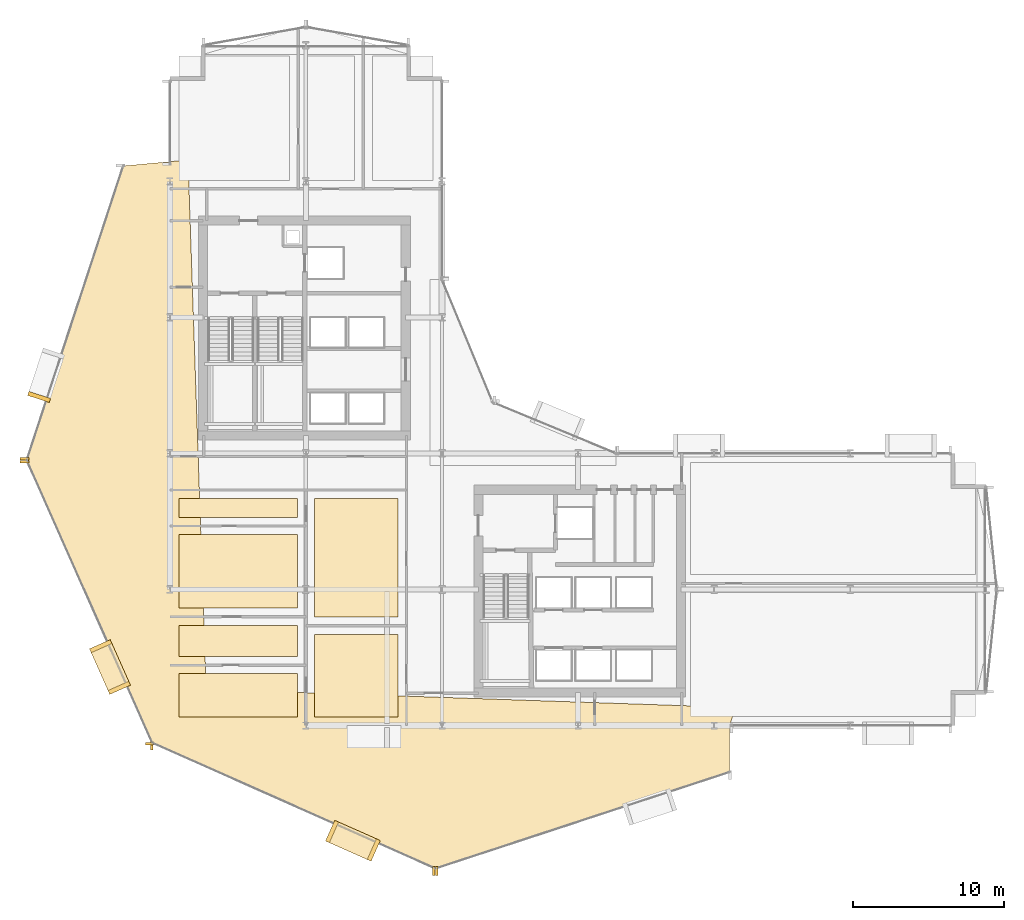
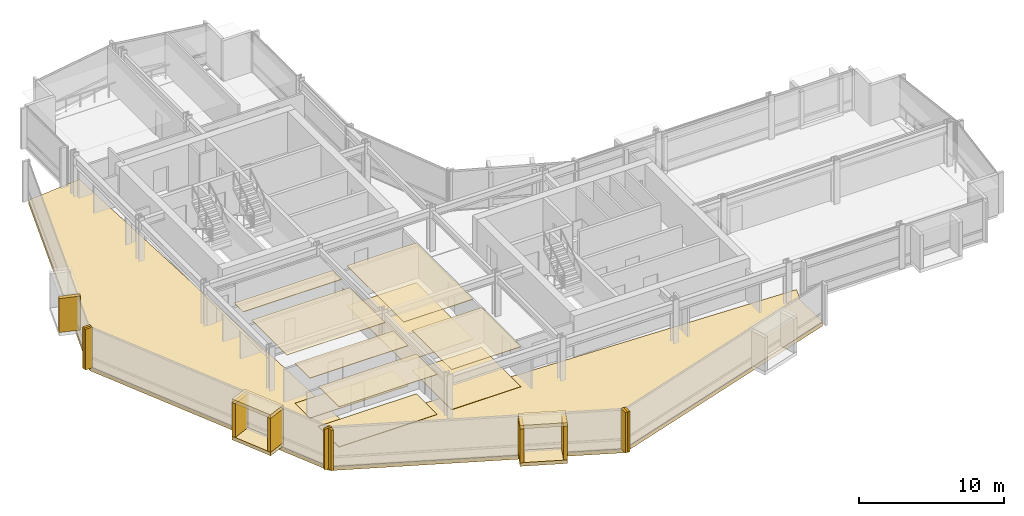
# One storey, part 30 of 34: 26 coverings.
"""IFC4 building model written with IfcOpenShell, lengths in metres."""

from ifc_helpers import new_model, si_unit, direction, frame, origin, origin_2d, place, context, subcontext, project, spatial, polyline, rectangle, outline, extrude, material, layer, layer_set, type_object, element, save


model = new_model("IFC4")

# Units and contexts
model_context = context("Model", 3, precision=1e-05, world=origin(), true_north=direction((0.0, 1.0)))
body_context = subcontext(model_context, "Body", "Model", "MODEL_VIEW")
ifc_project = project(units=[si_unit("LENGTHUNIT", "METRE"), si_unit("AREAUNIT", "SQUARE_METRE"), si_unit("VOLUMEUNIT", "CUBIC_METRE"), si_unit("PLANEANGLEUNIT", "RADIAN"), si_unit("MASSUNIT", "GRAM", prefix="KILO")], contexts=[model_context])

# Site, building, storey
site_placement = place(None, origin())
site = spatial("IfcSite", under=ifc_project, at=site_placement, CompositionType="ELEMENT")
building_placement = place(site_placement, origin())
building = spatial("IfcBuilding", under=site, at=building_placement, Name="Solvaryn Broadcast Tower", CompositionType="ELEMENT")
storey_placement = place(building_placement, frame((0.0, 0.0, 58.199951171875)))
storey = spatial("IfcBuildingStorey", under=building, at=storey_placement, Name="L13", CompositionType="ELEMENT", Elevation=58.199951171875)

# Coverings
ifc_material_1 = material(Name="Micro-Perforated Acoustic Gypsum Ceiling", Category="concrete")
ifc_layer_1 = layer(ifc_material_1, 0.0400390625)
ifc_layer_set_1 = layer_set([ifc_layer_1], Name="CV-CEIL-ACOUSTIC")
covering_type_1 = type_object("IfcCoveringType", Name="CV-CEIL-ACOUSTIC", PredefinedType="CEILING", material=ifc_layer_set_1)
covering_1_placement = place(storey_placement, frame((0.0, 0.0, 3.380126953125)))
element("IfcCovering", 1, at=covering_1_placement, inside=storey, type_object=covering_type_1, Name="L13 Room Acoustic Ceiling 1", PredefinedType="CEILING", context=body_context, shape_type="SweptSolid", body=[
    extrude(outline(polyline([(18.570068359375, 9.570068359375), (24.10009765625, 9.570068359375), (24.10009765625, 15.030029296875), (18.570068359375, 15.030029296875), (18.570068359375, 9.570068359375)])), origin(), (0.0, 0.0, 1.0), 0.0400390625),
])
covering_2_placement = place(storey_placement, frame((0.0, 0.0, 3.380126953125)))
element("IfcCovering", 2, at=covering_2_placement, inside=storey, type_object=covering_type_1, Name="L13 Room Acoustic Ceiling 2", PredefinedType="CEILING", context=body_context, shape_type="SweptSolid", body=[
    extrude(outline(polyline([(18.570068359375, 16.169921875), (24.10009765625, 16.169921875), (24.10009765625, 24.010009765625), (18.570068359375, 24.010009765625), (18.570068359375, 16.169921875)])), origin(), (0.0, 0.0, 1.0), 0.0400390625),
])
covering_3_placement = place(storey_placement, frame((0.0, 0.0, 3.380126953125)))
element("IfcCovering", 3, at=covering_3_placement, inside=storey, type_object=covering_type_1, Name="L13 Room Acoustic Ceiling 3", PredefinedType="CEILING", context=body_context, shape_type="SweptSolid", body=[
    extrude(outline(polyline([(9.60009765625, 9.570068359375), (17.429931640625, 9.570068359375), (17.429931640625, 12.429931640625), (9.60009765625, 12.429931640625), (9.60009765625, 9.570068359375)])), origin(), (0.0, 0.0, 1.0), 0.0400390625),
])
covering_4_placement = place(storey_placement, frame((0.0, 0.0, 3.380126953125)))
element("IfcCovering", 4, at=covering_4_placement, inside=storey, type_object=covering_type_1, Name="L13 Room Acoustic Ceiling 4", PredefinedType="CEILING", context=body_context, shape_type="SweptSolid", body=[
    extrude(outline(polyline([(9.60009765625, 13.570068359375), (17.429931640625, 13.570068359375), (17.429931640625, 15.6298828125), (9.60009765625, 15.6298828125), (9.60009765625, 13.570068359375)])), origin(), (0.0, 0.0, 1.0), 0.0400390625),
])
covering_5_placement = place(storey_placement, frame((0.0, 0.0, 3.380126953125)))
element("IfcCovering", 5, at=covering_5_placement, inside=storey, type_object=covering_type_1, Name="L13 Room Acoustic Ceiling 5", PredefinedType="CEILING", context=body_context, shape_type="SweptSolid", body=[
    extrude(outline(polyline([(9.60009765625, 16.77001953125), (17.429931640625, 16.77001953125), (17.429931640625, 21.6298828125), (9.60009765625, 21.6298828125), (9.60009765625, 16.77001953125)])), origin(), (0.0, 0.0, 1.0), 0.0400390625),
])
covering_6_placement = place(storey_placement, frame((0.0, 0.0, 3.380126953125)))
element("IfcCovering", 6, at=covering_6_placement, inside=storey, type_object=covering_type_1, Name="L13 Room Acoustic Ceiling 6", PredefinedType="CEILING", context=body_context, shape_type="SweptSolid", body=[
    extrude(outline(polyline([(9.60009765625, 22.77001953125), (17.429931640625, 22.77001953125), (17.429931640625, 24.010009765625), (9.60009765625, 24.010009765625), (9.60009765625, 22.77001953125)])), origin(), (0.0, 0.0, 1.0), 0.0400390625),
])
ifc_material_2 = material(Name="Newsroom Raised Data Access Flooring", Category="steel")
ifc_layer_2 = layer(ifc_material_2, 0.050048828125)
ifc_layer_set_2 = layer_set([ifc_layer_2], Name="CV-FLOOR-RAISED")
covering_type_2 = type_object("IfcCoveringType", Name="CV-FLOOR-RAISED", PredefinedType="FLOORING", material=ifc_layer_set_2)
covering_7_placement = place(storey_placement, origin())
element("IfcCovering", 7, at=covering_7_placement, inside=storey, type_object=covering_type_2, Name="L13 Room Acoustic Floor Finish 1", PredefinedType="FLOORING", context=body_context, shape_type="SweptSolid", body=[
    extrude(outline(polyline([(18.570068359375, 9.570068359375), (24.10009765625, 9.570068359375), (24.10009765625, 15.030029296875), (18.570068359375, 15.030029296875), (18.570068359375, 9.570068359375)])), origin(), (0.0, 0.0, 1.0), 0.050048828125),
])
covering_8_placement = place(storey_placement, origin())
element("IfcCovering", 8, at=covering_8_placement, inside=storey, type_object=covering_type_2, Name="L13 Room Acoustic Floor Finish 2", PredefinedType="FLOORING", context=body_context, shape_type="SweptSolid", body=[
    extrude(outline(polyline([(18.570068359375, 16.169921875), (24.10009765625, 16.169921875), (24.10009765625, 24.010009765625), (18.570068359375, 24.010009765625), (18.570068359375, 16.169921875)])), origin(), (0.0, 0.0, 1.0), 0.050048828125),
])
covering_9_placement = place(storey_placement, origin())
element("IfcCovering", 9, at=covering_9_placement, inside=storey, type_object=covering_type_2, Name="L13 Room Acoustic Floor Finish 3", PredefinedType="FLOORING", context=body_context, shape_type="SweptSolid", body=[
    extrude(outline(polyline([(9.60009765625, 9.570068359375), (17.429931640625, 9.570068359375), (17.429931640625, 12.429931640625), (9.60009765625, 12.429931640625), (9.60009765625, 9.570068359375)])), origin(), (0.0, 0.0, 1.0), 0.050048828125),
])
covering_10_placement = place(storey_placement, origin())
element("IfcCovering", 10, at=covering_10_placement, inside=storey, type_object=covering_type_2, Name="L13 Room Acoustic Floor Finish 4", PredefinedType="FLOORING", context=body_context, shape_type="SweptSolid", body=[
    extrude(outline(polyline([(9.60009765625, 13.570068359375), (17.429931640625, 13.570068359375), (17.429931640625, 15.6298828125), (9.60009765625, 15.6298828125), (9.60009765625, 13.570068359375)])), origin(), (0.0, 0.0, 1.0), 0.050048828125),
])
ifc_material_3 = material(Name="Glazed Architectural Terracotta Rainscreen Cladding", Category="masonry")
ifc_layer_3 = layer(ifc_material_3, 0.280029296875)
ifc_layer_set_3 = layer_set([ifc_layer_3], Name="CV-TC-CLAD")
covering_type_3 = type_object("IfcCoveringType", Name="CV-TC-CLAD", PredefinedType="CLADDING", material=ifc_layer_set_3)
covering_11_placement = place(storey_placement, frame((0.348388671875, 30.73828125, 0.27978515625), z_axis=(0.0, 0.0, 1.0), x_axis=(-0.311671636848, -0.950189870912, 0.0)))
element("IfcCovering", 11, at=covering_11_placement, inside=storey, type_object=covering_type_3, Name="L13 Projecting Stone Window Box Cheek 1-2", PredefinedType="CLADDING", context=body_context, shape_type="SweptSolid", body=[
    extrude(rectangle(XDim=0.280029296875, YDim=1.5, at=origin_2d()), origin(), (0.0, 0.0, 1.0), 2.860107421875),
])
for number, where, z_axis, x_axis, name in (
    (12, (5.035888671875, 12.8720703125, 3.1298828125), (0.0, 0.0, 1.0), (0.405939269498, -0.913900054426, 0.0), "L13 Projecting Stone Window Box Hood 2"),
    (13, (5.035888671875, 12.8720703125, -0.009765625), (0.0, 0.0, 1.0), (0.405939269498, -0.913900054426, 0.0), "L13 Projecting Stone Window Box Sill 2"),
):
    element("IfcCovering", number, at=place(storey_placement, frame(where, z_axis=z_axis, x_axis=x_axis)), inside=storey, type_object=covering_type_3, Name=name, PredefinedType="CLADDING", context=body_context, shape_type="SweptSolid", body=[
        extrude(rectangle(XDim=3.300048828125, YDim=1.5, at=origin_2d()), origin(), (0.0, 0.0, 1.0), 0.300048828125),
    ])
for number, where, z_axis, x_axis, name in (
    (14, (4.423095703125, 14.251953125, 0.27978515625), (0.0, 0.0, 1.0), (0.405939269498, -0.913900054426, 0.0), "L13 Projecting Stone Window Box Cheek 2-1"),
    (15, (5.64892578125, 11.491943359375, 0.27978515625), (0.0, 0.0, 1.0), (0.405939269498, -0.913900054426, 0.0), "L13 Projecting Stone Window Box Cheek 2-2"),
):
    element("IfcCovering", number, at=place(storey_placement, frame(where, z_axis=z_axis, x_axis=x_axis)), inside=storey, type_object=covering_type_3, Name=name, PredefinedType="CLADDING", context=body_context, shape_type="SweptSolid", body=[
        extrude(rectangle(XDim=0.280029296875, YDim=1.5, at=origin_2d()), origin(), (0.0, 0.0, 1.0), 2.860107421875),
    ])
for number, where, z_axis, x_axis, name in (
    (16, (21.10498046875, 1.37890625, 3.1298828125), (0.0, 0.0, 1.0), (0.913900054426, -0.405939269498, 0.0), "L13 Projecting Stone Window Box Hood 3"),
    (17, (21.10498046875, 1.37890625, -0.009765625), (0.0, 0.0, 1.0), (0.913900054426, -0.405939269498, 0.0), "L13 Projecting Stone Window Box Sill 3"),
):
    element("IfcCovering", number, at=place(storey_placement, frame(where, z_axis=z_axis, x_axis=x_axis)), inside=storey, type_object=covering_type_3, Name=name, PredefinedType="CLADDING", context=body_context, shape_type="SweptSolid", body=[
        extrude(rectangle(XDim=3.300048828125, YDim=1.5, at=origin_2d()), origin(), (0.0, 0.0, 1.0), 0.300048828125),
    ])
for number, where, z_axis, x_axis, name in (
    (18, (19.72509765625, 1.991943359375, 0.27978515625), (0.0, 0.0, 1.0), (0.913900054426, -0.405939269498, 0.0), "L13 Projecting Stone Window Box Cheek 3-1"),
    (19, (22.485107421875, 0.76611328125, 0.27978515625), (0.0, 0.0, 1.0), (0.913900054426, -0.405939269498, 0.0), "L13 Projecting Stone Window Box Cheek 3-2"),
):
    element("IfcCovering", number, at=place(storey_placement, frame(where, z_axis=z_axis, x_axis=x_axis)), inside=storey, type_object=covering_type_3, Name=name, PredefinedType="CLADDING", context=body_context, shape_type="SweptSolid", body=[
        extrude(rectangle(XDim=0.280029296875, YDim=1.5, at=origin_2d()), origin(), (0.0, 0.0, 1.0), 2.860107421875),
    ])
ifc_material_4 = material(Name="Extruded Architectural Terracotta Fin", Category="masonry")
ifc_layer_4 = layer(ifc_material_4, 0.179931640625)
ifc_layer_set_4 = layer_set([ifc_layer_4], Name="CV-TC-FIN")
covering_type_4 = type_object("IfcCoveringType", Name="CV-TC-FIN", PredefinedType="USERDEFINED", material=ifc_layer_set_4)
for number, where, z_axis, x_axis, name in (
    (20, (-0.625732421875, 26.644775390625, 0.0), (0.0, 0.0, 1.0), (1.0, 0.0, 0.0), "L13 Terracotta Vertical Fin FIN-L13-DR1-M01"),
    (21, (-0.6162109375, 26.459716796875, 0.0), (0.0, 0.0, 1.0), (1.0, 0.0, 0.0), "L13 Terracotta Vertical Fin FIN-L13-DR2-M00"),
    (22, (7.670654296875, 7.8017578125, 0.0), (0.0, 0.0, 1.0), (1.0, 0.0, 0.0), "L13 Terracotta Vertical Fin FIN-L13-DR2-M01"),
):
    element("IfcCovering", number, at=place(storey_placement, frame(where, z_axis=z_axis, x_axis=x_axis)), inside=storey, type_object=covering_type_4, Name=name, ObjectType="FIN", PredefinedType="USERDEFINED", context=body_context, shape_type="SweptSolid", body=[
        extrude(rectangle(XDim=0.580078125, YDim=0.179931640625, at=origin_2d()), origin(), (0.0, 0.0, 1.0), 3.419921875),
    ])
for number, where, z_axis, x_axis, name in (
    (23, (7.8017578125, 7.670654296875, 0.0), (0.0, 0.0, 1.0), (1.0, 0.0, 0.0), "L13 Terracotta Vertical Fin FIN-L13-DR3-M00"),
    (24, (26.459716796875, -0.6162109375, 0.0), (0.0, 0.0, 1.0), (1.0, 0.0, 0.0), "L13 Terracotta Vertical Fin FIN-L13-DR3-M01"),
    (25, (26.644775390625, -0.625732421875, 0.0), (0.0, 0.0, 1.0), (1.0, 0.0, 0.0), "L13 Terracotta Vertical Fin FIN-L13-DR4-M00"),
):
    element("IfcCovering", number, at=place(storey_placement, frame(where, z_axis=z_axis, x_axis=x_axis)), inside=storey, type_object=covering_type_4, Name=name, ObjectType="FIN", PredefinedType="USERDEFINED", context=body_context, shape_type="SweptSolid", body=[
        extrude(rectangle(XDim=0.179931640625, YDim=0.580078125, at=origin_2d()), origin(), (0.0, 0.0, 1.0), 3.419921875),
    ])
ifc_material_5 = material(Name="Sculpted Architectural Terracotta Wave Fascia", Category="masonry")
ifc_layer_5 = layer(ifc_material_5, 0.340087890625)
ifc_layer_set_5 = layer_set([ifc_layer_5], Name="CV-WAVE-TRAY")
covering_type_5 = type_object("IfcCoveringType", Name="CV-WAVE-TRAY", PredefinedType="CLADDING", material=ifc_layer_set_5)
covering_12_placement = place(storey_placement, frame((0.0, 0.0, -0.300048828125)))
element("IfcCovering", 26, at=covering_12_placement, inside=storey, type_object=covering_type_5, Name="L13 Stepped Cylindrical Drum Floor Apron", PredefinedType="CLADDING", context=body_context, shape_type="SweptSolid", body=[
    extrude(outline(polyline([(10.199951171875, 46.416015625), (5.916015625, 46.01611328125), (-0.464111328125, 26.56005859375), (7.846923828125, 7.846923828125), (26.56005859375, -0.464111328125), (46.01611328125, 5.916015625), (46.01611328125, 9.0), (46.416015625, 10.199951171875), (11.39990234375, 11.39990234375), (10.199951171875, 46.416015625)])), origin(), (0.0, 0.0, 1.0), 0.330078125),
])

save(model, "model.ifc")
